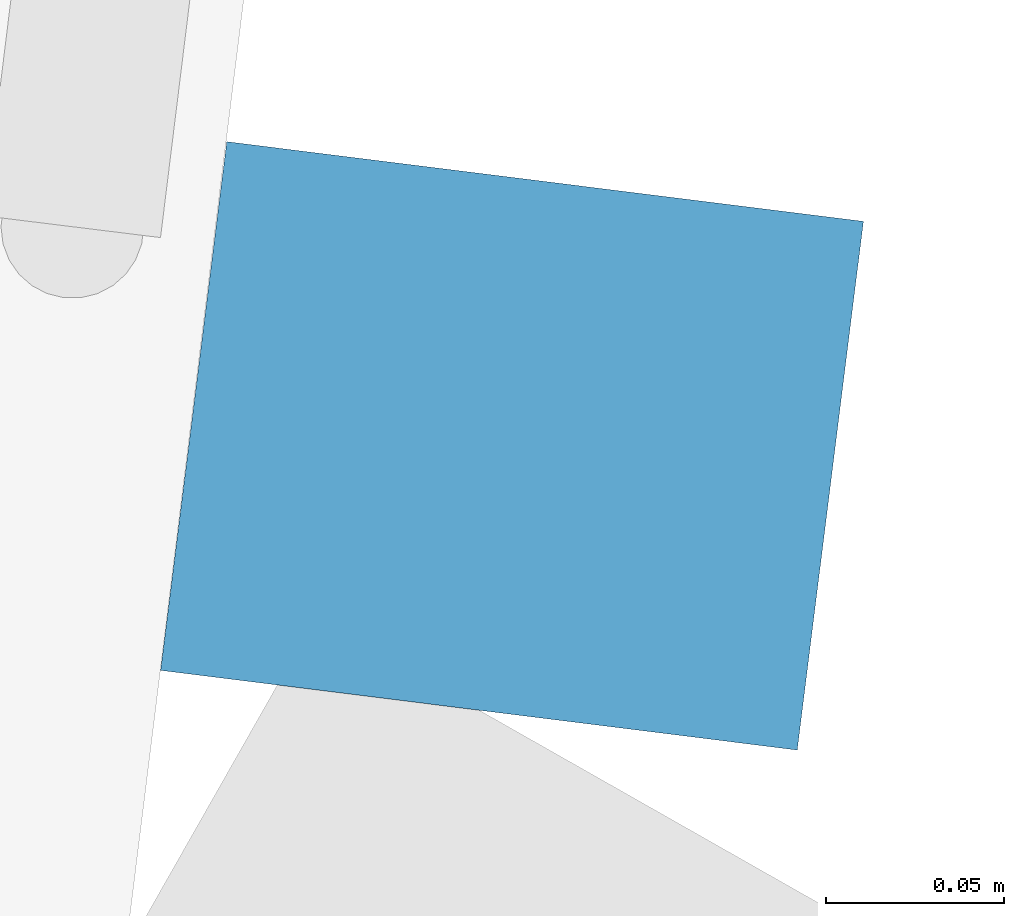
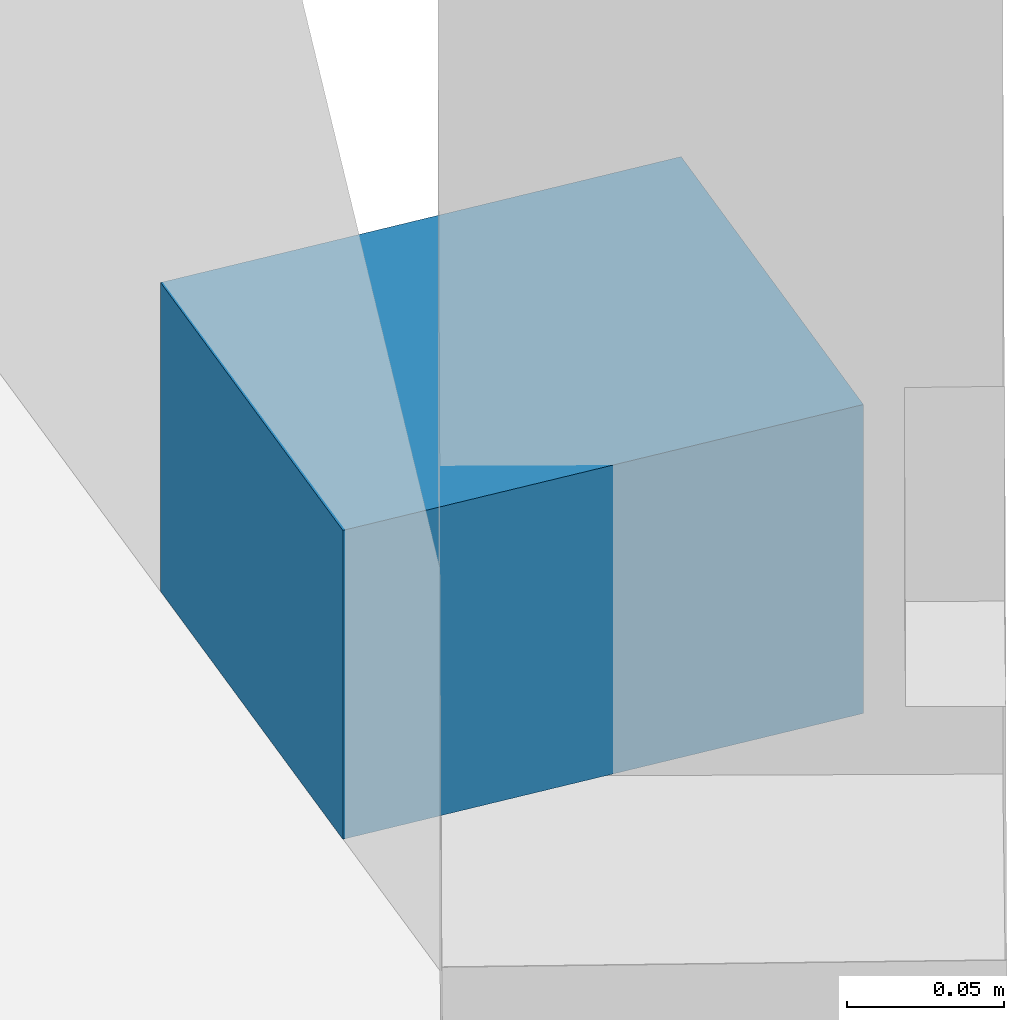
# One storey, part 13 of 24: 1 member, 1 element without a shape of its own.
"""IFC4 building model written with IfcOpenShell, lengths in metres."""

from ifc_helpers import new_model, si_unit, direction, frame, origin, origin_2d, place, context, subcontext, project, spatial, rectangle, extrude, material, material_profile, profile_set, type_object, element, aggregate, save


model = new_model("IFC4")

# Units and contexts
model_context = context("Model", 3, precision=1e-05, world=origin(), true_north=direction((0.0, 1.0)))
body_context = subcontext(model_context, "Body", "Model", "MODEL_VIEW")
ifc_project = project(units=[si_unit("LENGTHUNIT", "METRE"), si_unit("AREAUNIT", "SQUARE_METRE"), si_unit("VOLUMEUNIT", "CUBIC_METRE"), si_unit("PLANEANGLEUNIT", "RADIAN"), si_unit("MASSUNIT", "GRAM", prefix="KILO")], contexts=[model_context])

# Site, building, storey
site_placement = place(None, origin())
site = spatial("IfcSite", under=ifc_project, at=site_placement, CompositionType="ELEMENT")
building_placement = place(site_placement, origin())
building = spatial("IfcBuilding", under=site, at=building_placement, Name="Orlundy Tower", CompositionType="ELEMENT")
storey_placement = place(building_placement, frame((0.0, 0.0, 239.0)))
storey = spatial("IfcBuildingStorey", under=building, at=storey_placement, Name="L63", CompositionType="ELEMENT", Elevation=239.0)

# Curtain wall, member
ifc_material_1 = material(Name="Aluminium bronze anodised", Category="aluminium")
curtain_wall_type = type_object("IfcCurtainWallType", Name="CW1 wall", PredefinedType="NOTDEFINED", material=ifc_material_1)
curtain_wall_placement = place(storey_placement, origin())
curtain_wall = element("IfcCurtainWall", 1, at=curtain_wall_placement, inside=storey, type_object=curtain_wall_type, Name="CW1 run 03", PredefinedType="NOTDEFINED")
ifc_material_2 = material(Name="Aluminium bronze anodised", Category="aluminium")
ifc_material_profile = material_profile(ifc_material_2, rectangle(XDim=0.179931640625, YDim=0.1201171875, at=origin_2d()), Name="CW1 transom 180x120")
ifc_profile_set = profile_set([ifc_material_profile], Name="Aluminium bronze anodised")
member_type = type_object("IfcMemberType", Name="CW1 transom 180x120", PredefinedType="USERDEFINED", material=ifc_profile_set)
member_placement = place(storey_placement, frame((21.78759765625, -31.929931640625, -0.340087890625), z_axis=(-0.124235923819, -0.992252707345, 0.0), x_axis=(0.992252707345, -0.124235923819, 0.0)))
member = element("IfcMember", 2, at=member_placement, type_object=member_type, Name="CW1 transom", ObjectType="TRANSOM", PredefinedType="USERDEFINED", context=body_context, shape_type="SweptSolid", body=[
    extrude(rectangle(XDim=0.179931640625, YDim=0.1201171875, at=origin_2d()), origin(), (0.0, 0.0, 1.0), 0.1494140625),
])
aggregate(curtain_wall, [member])

save(model, "model.ifc")
